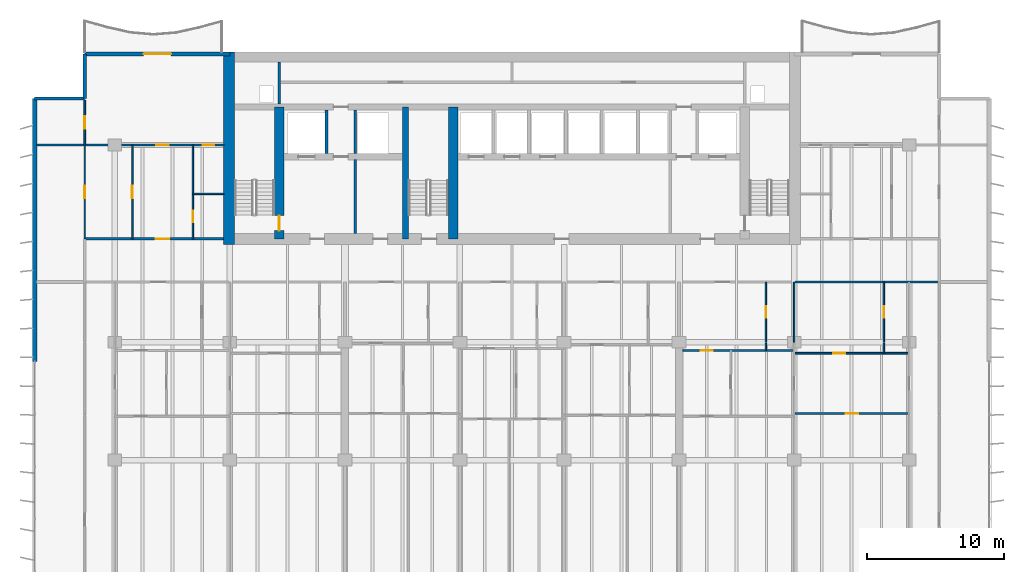
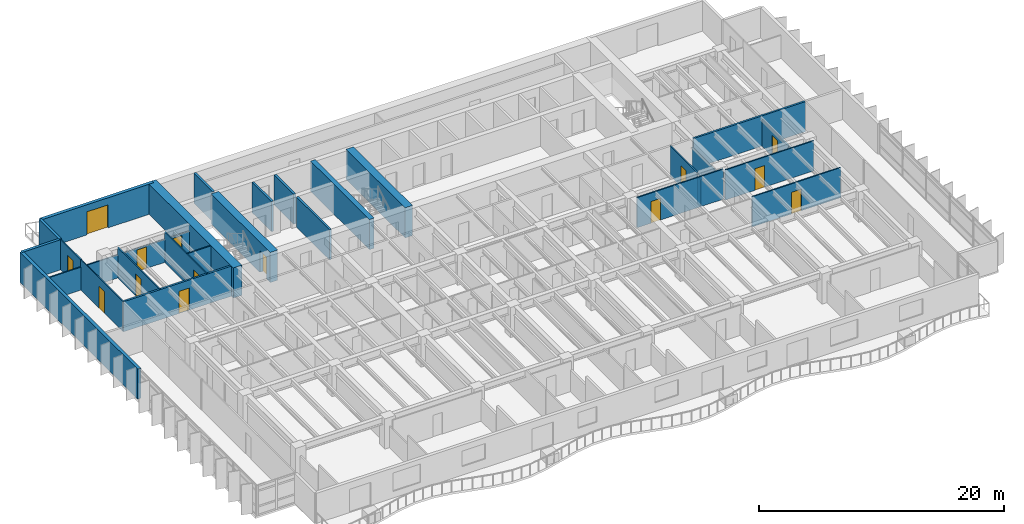
# One storey, part 11 of 19: 28 walls, 14 doors, 14 openings.
"""IFC4 building model written with IfcOpenShell, lengths in metres."""

import ifcopenshell
import ifcopenshell.guid

model = None  # the IFC model being written
_history = None  # IfcOwnerHistory: only IFC2X3 demands one
_inside = {}  # id of a spatial element -> (the spatial element, [elements in it])
_under = {}  # id of a project, library or spatial element -> (it, [spatial elements below it])
_declared = {}  # id of a project -> (the project, [libraries it declares])
_typed = {}  # id of a type object -> (the type object, [elements of that type])
_made_of = {}  # id of a material, layer set ... -> (it, [elements and type objects made of it])


def new_model(schema):
    """Start an empty IFC model of exactly this schema.

    Asked for "IFC4X3", IfcOpenShell would pick the latest addendum, in which some entities
    have other attributes; the version numbers below select the first issue.
    IFC2X3 requires an IfcOwnerHistory on every rooted entity: one is made here for all.
    """
    global model, _history
    if schema == "IFC4X3":
        model = ifcopenshell.file(schema_version=(4, 3, 0, 0))
    else:
        model = ifcopenshell.file(schema=schema)
    _inside.clear()
    _under.clear()
    _declared.clear()
    _typed.clear()
    _made_of.clear()
    _history = None
    if model.schema == "IFC2X3":
        org = make("IfcOrganization", Name="unknown")
        user = make(
            "IfcPersonAndOrganization",
            ThePerson=make("IfcPerson", FamilyName="unknown"),
            TheOrganization=org,
        )
        app = make(
            "IfcApplication",
            ApplicationDeveloper=org,
            Version="unknown",
            ApplicationFullName="unknown",
            ApplicationIdentifier="unknown",
        )
        _history = make(
            "IfcOwnerHistory",
            OwningUser=user,
            OwningApplication=app,
            ChangeAction="ADDED",
            CreationDate=0,
        )
    return model


def make(cls, **values):
    """One entity of the class cls with the attributes given. An attribute that is None is left unset."""
    return model.create_entity(
        cls, **{name: value for name, value in values.items() if value is not None}
    )


def rooted(cls, **values):
    """An entity with a GlobalId (a new one), such as an element, a storey or a relation."""
    return make(cls, GlobalId=ifcopenshell.guid.new(), OwnerHistory=_history, **values)


def si_unit(unit_type, name, prefix=None):
    """IfcSIUnit, for example si_unit("LENGTHUNIT", "METRE", prefix="MILLI")."""
    return make("IfcSIUnit", UnitType=unit_type, Prefix=prefix, Name=name)


def assignment(units):
    """IfcUnitAssignment: the units of a project."""
    return None if units is None else make("IfcUnitAssignment", Units=units)


def point(xyz):
    """IfcCartesianPoint."""
    return None if xyz is None else make("IfcCartesianPoint", Coordinates=xyz)


def direction(xyz):
    """IfcDirection."""
    return None if xyz is None else make("IfcDirection", DirectionRatios=xyz)


def frame(location, z_axis=None, x_axis=None):
    """IfcAxis2Placement3D, a coordinate frame: its origin and axes. An axis left out is left unset."""
    return make(
        "IfcAxis2Placement3D",
        Location=point(location),
        Axis=direction(z_axis),
        RefDirection=direction(x_axis),
    )


def frame_2d(location, x_axis=None):
    """IfcAxis2Placement2D, a coordinate frame in the plane: its origin and x axis."""
    return make(
        "IfcAxis2Placement2D", Location=point(location), RefDirection=direction(x_axis)
    )


def origin():
    """The frame at (0, 0, 0) with its axes left unset."""
    return frame((0.0, 0.0, 0.0))


def place(relative_to, where):
    """IfcLocalPlacement: puts the frame where relative to a parent placement (None: the world)."""
    return make(
        "IfcLocalPlacement", PlacementRelTo=relative_to, RelativePlacement=where
    )


def context(
    kind, dimensions, precision=None, world=None, true_north=None, identifier=None
):
    """IfcGeometricRepresentationContext, for example the 3D "Model" context."""
    return make(
        "IfcGeometricRepresentationContext",
        ContextIdentifier=identifier,
        ContextType=kind,
        CoordinateSpaceDimension=dimensions,
        Precision=precision,
        WorldCoordinateSystem=world,
        TrueNorth=true_north,
    )


def subcontext(parent, identifier, kind, view, scale=None):
    """IfcGeometricRepresentationSubContext, for example "Body" below "Model"."""
    return make(
        "IfcGeometricRepresentationSubContext",
        ContextIdentifier=identifier,
        ContextType=kind,
        ParentContext=parent,
        TargetScale=scale,
        TargetView=view,
    )


def project(units=None, contexts=None):
    """IfcProject with its units and contexts."""
    return rooted(
        "IfcProject",
        Name="project",
        RepresentationContexts=contexts,
        UnitsInContext=assignment(units),
    )


def spatial(cls, under=None, at=None, **own):
    """A site, building, storey or space (cls), placed at a placement, below another one or the project."""
    s = rooted(cls, ObjectPlacement=at, **own)
    if under is not None:
        _under.setdefault(under.id(), (under, []))[1].append(s)
    return s


def profile(cls, at=None, kind="AREA", **sizes):
    """A parametric profile (cls). Its sizes go by their IFC names, for example OverallWidth=200.0."""
    return make(cls, ProfileType=kind, Position=at, **sizes)


def rectangle(**sizes):
    """IfcRectangleProfileDef."""
    return profile("IfcRectangleProfileDef", **sizes)


def extrude(swept, where, along, depth):
    """IfcExtrudedAreaSolid: the profile swept, set in the frame where, extruded along a direction by depth."""
    return make(
        "IfcExtrudedAreaSolid",
        SweptArea=swept,
        Position=where,
        ExtrudedDirection=direction(along),
        Depth=depth,
    )


def shape(context_of_items, identifier, shape_type, items):
    """IfcShapeRepresentation: the items that make up one representation, for example the "Body"."""
    return make(
        "IfcShapeRepresentation",
        ContextOfItems=context_of_items,
        RepresentationIdentifier=identifier,
        RepresentationType=shape_type,
        Items=items,
    )


def material(Name=None, Category=None):
    """IfcMaterial."""
    return make("IfcMaterial", Name=Name, Category=Category)


def layer(
    of_material, thickness, ventilated=None, Name=None, Category=None, Priority=None
):
    """IfcMaterialLayer: one layer of a wall or slab, of a material (None: an air gap)."""
    return make(
        "IfcMaterialLayer",
        Material=of_material,
        LayerThickness=thickness,
        IsVentilated=ventilated,
        Name=Name,
        Category=Category,
        Priority=Priority,
    )


def layer_set(layers, Name=None):
    """IfcMaterialLayerSet."""
    return make("IfcMaterialLayerSet", MaterialLayers=layers, LayerSetName=Name)


def made_of(thing, what):
    """Note that an element or type object is made of a material, layer set ...; save() writes the relation."""
    if what is not None:
        _made_of.setdefault(what.id(), (what, []))[1].append(thing)
    return thing


def type_object(cls, material=None, **own):
    """A type object (cls), such as IfcWallType, which elements share."""
    return made_of(rooted(cls, **own), material)


def element(
    cls,
    number,
    at=None,
    inside=None,
    cuts=None,
    type_object=None,
    material=None,
    context=None,
    identifier="Body",
    shape_type=None,
    held_by="IfcProductDefinitionShape",
    body=None,
    shapes=None,
    **own,
):
    """One element of the class cls, such as IfcWall. Its Tag is "e" and its number.

    at: its placement. inside: the storey or other place that contains it. cuts: it is an
    opening in that element (IfcRelVoidsElement). A single representation is given by context,
    identifier, shape_type and body (its items); several are given by shapes. held_by: the class
    of the entity that holds the representations. save() writes the other relations.
    """
    e = rooted(cls, Tag="e%d" % number, ObjectPlacement=at, **own)
    if body is not None:
        shapes = [shape(context, identifier, shape_type, body)]
    if shapes is not None:
        e.Representation = make(held_by, Representations=shapes)
    if inside is not None:
        _inside.setdefault(inside.id(), (inside, []))[1].append(e)
    if cuts is not None:
        rooted(
            "IfcRelVoidsElement", RelatingBuildingElement=cuts, RelatedOpeningElement=e
        )
    if type_object is not None:
        _typed.setdefault(type_object.id(), (type_object, []))[1].append(e)
    return made_of(e, material)


def fill(opening, filler):
    """IfcRelFillsElement: the door or window that sits in an opening."""
    return rooted(
        "IfcRelFillsElement",
        RelatingOpeningElement=opening,
        RelatedBuildingElement=filler,
    )


def aggregate(whole, parts):
    """IfcRelAggregates: a whole, such as a stair, and the parts it consists of."""
    return rooted("IfcRelAggregates", RelatingObject=whole, RelatedObjects=parts)


def save(model, path):
    """Write the relations noted so far, then the file.

    IfcRelAggregates (storeys below a building ...), IfcRelContainedInSpatialStructure (elements
    in a storey), IfcRelDefinesByType, IfcRelAssociatesMaterial and IfcRelDeclares: one each for
    every whole, place, type object, material and project.
    """
    for whole, parts in _under.values():
        aggregate(whole, parts)
    for where, things in _inside.values():
        rooted(
            "IfcRelContainedInSpatialStructure",
            RelatedElements=things,
            RelatingStructure=where,
        )
    for kind, things in _typed.values():
        rooted("IfcRelDefinesByType", RelatedObjects=things, RelatingType=kind)
    for what, things in _made_of.values():
        rooted("IfcRelAssociatesMaterial", RelatedObjects=things, RelatingMaterial=what)
    for by, libraries in _declared.values():
        rooted("IfcRelDeclares", RelatingContext=by, RelatedDefinitions=libraries)
    model.write(path)


model = new_model("IFC4")

# Units and contexts
model_context = context("Model", 3, precision=1e-05, world=origin(), true_north=direction((0.0, 1.0)))
body_context = subcontext(model_context, "Body", "Model", "MODEL_VIEW")
ifc_project = project(units=[si_unit("LENGTHUNIT", "METRE"), si_unit("AREAUNIT", "SQUARE_METRE"), si_unit("VOLUMEUNIT", "CUBIC_METRE"), si_unit("PLANEANGLEUNIT", "RADIAN"), si_unit("MASSUNIT", "GRAM", prefix="KILO")], contexts=[model_context])

# Site, building, storey
site_placement = place(None, origin())
site = spatial("IfcSite", under=ifc_project, at=site_placement, CompositionType="ELEMENT")
building_placement = place(site_placement, origin())
building = spatial("IfcBuilding", under=site, at=building_placement, Name="Caelmar Bay Residences", CompositionType="ELEMENT")
storey_placement = place(building_placement, frame((0.0, 0.0, 94.5)))
storey = spatial("IfcBuildingStorey", under=building, at=storey_placement, Name="L25", CompositionType="ELEMENT", Elevation=94.5)

# Wall, opening, door
ifc_material_1 = material(Name="Concrete f'c 55 MPa (8,000 psi)", Category="concrete")
ifc_layer_1 = layer(ifc_material_1, 0.699951171875)
ifc_layer_set_1 = layer_set([ifc_layer_1], Name="Concrete f'c 55 MPa (8,000 psi)")
wall_type_1 = type_object("IfcWallType", Name="SW-COR-700", PredefinedType="SHEAR", material=ifc_layer_set_1)
wall_1_placement = place(storey_placement, frame((21.89990234375, 36.949951171875, 0.0), z_axis=(0.0, 0.0, 1.0), x_axis=(0.0, 1.0, 0.0)))
wall_1 = element("IfcWall", 1, at=wall_1_placement, inside=storey, type_object=wall_type_1, Name="L25 Core Structural Web Wall ST1E", PredefinedType="SHEAR", context=body_context, shape_type="SweptSolid", body=[
    extrude(rectangle(XDim=9.625, YDim=0.699951171875, at=frame_2d((4.8125, 0.0))), origin(), (0.0, 0.0, 1.0), 3.0),
])
opening_1_placement = place(wall_1_placement, frame((0.60009765625, 0.0, 0.0)))
opening_1 = element("IfcOpeningElement", 2, at=opening_1_placement, cuts=wall_1, Name="Opening D-L25-108", PredefinedType="OPENING", context=body_context, shape_type="SweptSolid", body=[
    extrude(rectangle(XDim=1.10009765625, YDim=2.14990234375, at=frame_2d((0.550048828125, 1.074951171875))), frame((0.0, 0.35986328125, 0.0), z_axis=(0.0, -1.0, 0.0), x_axis=(1.0, 0.0, 0.0)), (0.0, 0.0, 1.0), 0.719970703125),
])
ifc_material_2 = material(Name="Fire-rated steel and walnut architectural door assembly", Category="steel")
ifc_layer_2 = layer(ifc_material_2, 0.050048828125)
ifc_layer_set_2 = layer_set([ifc_layer_2], Name="Fire-rated steel and walnut architectural door assembly")
door_type_1 = type_object("IfcDoorType", Name="D-STAIR-1100", OperationType="NOTDEFINED", PredefinedType="DOOR", material=ifc_layer_set_2)
door_1_placement = place(opening_1_placement, origin())
door_1 = element("IfcDoor", 3, at=door_1_placement, inside=storey, type_object=door_type_1, Name="L25 Firefighting Lobby West Door", OperationType="SINGLE_SWING_LEFT", OverallHeight=2.14990234375, OverallWidth=1.10009765625, PredefinedType="DOOR", context=body_context, shape_type="SweptSolid", body=[
    extrude(rectangle(XDim=1.10009765625, YDim=2.14990234375, at=frame_2d((0.550048828125, 1.074951171875))), frame((0.0, 0.02490234375, 0.0), z_axis=(0.0, -1.0, 0.0), x_axis=(1.0, 0.0, 0.0)), (0.0, 0.0, 1.0), 0.050048828125),
])
fill(opening_1, door_1)

# Walls
wall_2_placement = place(storey_placement, frame((34.60009765625, 36.949951171875, 0.0), z_axis=(0.0, 0.0, 1.0), x_axis=(0.0, 1.0, 0.0)))
element("IfcWall", 4, at=wall_2_placement, inside=storey, type_object=wall_type_1, Name="L25 Core Structural Web Wall ST3E", PredefinedType="SHEAR", context=body_context, shape_type="SweptSolid", body=[
    extrude(rectangle(XDim=9.625, YDim=0.699951171875, at=frame_2d((4.8125, 0.0))), origin(), (0.0, 0.0, 1.0), 3.0),
])
ifc_material_3 = material(Name="Concrete f'c 70 MPa (10,000 psi)", Category="concrete")
ifc_layer_3 = layer(ifc_material_3, 0.800048828125)
ifc_layer_set_3 = layer_set([ifc_layer_3], Name="Concrete f'c 70 MPa (10,000 psi)")
wall_type_2 = type_object("IfcWallType", Name="SW-COR-800", PredefinedType="SHEAR", material=ifc_layer_set_3)
wall_3_placement = place(storey_placement, frame((18.25, 36.550048828125, 0.0), z_axis=(0.0, 0.0, 1.0), x_axis=(0.0, 1.0, 0.0)))
element("IfcWall", 5, at=wall_3_placement, inside=storey, type_object=wall_type_2, Name="L25 Rear Core West Shear Wall", PredefinedType="SHEAR", context=body_context, shape_type="SweptSolid", body=[
    extrude(rectangle(XDim=14.050048828125, YDim=0.800048828125, at=frame_2d((7.02490234375, 0.0))), origin(), (0.0, 0.0, 1.0), 3.0),
])
ifc_layer_4 = layer(ifc_material_3, 0.449951171875)
ifc_layer_set_4 = layer_set([ifc_layer_4], Name="Concrete f'c 70 MPa (10,000 psi)")
wall_type_3 = type_object("IfcWallType", Name="SW-WEB-450", PredefinedType="SHEAR", material=ifc_layer_set_4)
wall_4_placement = place(storey_placement, frame((31.125, 36.949951171875, 0.0), z_axis=(0.0, 0.0, 1.0), x_axis=(0.0, 1.0, 0.0)))
element("IfcWall", 6, at=wall_4_placement, inside=storey, type_object=wall_type_3, Name="L25 Core Structural Web Wall ST3W", PredefinedType="SHEAR", context=body_context, shape_type="SweptSolid", body=[
    extrude(rectangle(XDim=9.625, YDim=0.449951171875, at=frame_2d((4.8125, 0.0))), origin(), (0.0, 0.0, 1.0), 3.0),
])
ifc_material_4 = material(Name="Double-stud acoustic fire-rated gypsum partition 180 mm")
ifc_layer_5 = layer(ifc_material_4, 0.179931640625)
ifc_layer_set_5 = layer_set([ifc_layer_5], Name="Double-stud acoustic fire-rated gypsum partition 180 mm")
wall_type_4 = type_object("IfcWallType", Name="W-COR-200", PredefinedType="PARTITIONING", material=ifc_layer_set_5)
wall_5_placement = place(storey_placement, frame((59.550048828125, 33.800048828125, 0.0), z_axis=(0.0, 0.0, 1.0), x_axis=(1.0, 0.0, 0.0)))
element("IfcWall", 7, at=wall_5_placement, inside=storey, type_object=wall_type_4, Name="L25 Partition Wall H121", PredefinedType="PARTITIONING", context=body_context, shape_type="SweptSolid", body=[
    extrude(rectangle(XDim=10.550048828125, YDim=0.179931640625, at=frame_2d((5.27490234375, 0.0))), origin(), (0.0, 0.0, 1.0), 3.0),
])

# Wall, opening, door
wall_6_placement = place(storey_placement, frame((7.699951171875, 36.949951171875, 0.0), z_axis=(0.0, 0.0, 1.0), x_axis=(1.0, 0.0, 0.0)))
wall_6 = element("IfcWall", 8, at=wall_6_placement, inside=storey, type_object=wall_type_4, Name="L25 Partition Wall H123", PredefinedType="PARTITIONING", context=body_context, shape_type="SweptSolid", body=[
    extrude(rectangle(XDim=10.14501953125, YDim=0.179931640625, at=frame_2d((5.072509765625, 0.0))), origin(), (0.0, 0.0, 1.0), 3.0),
])
opening_2_placement = place(wall_6_placement, frame((5.18798828125, 0.0, 0.0)))
opening_2 = element("IfcOpeningElement", 9, at=opening_2_placement, cuts=wall_6, Name="Opening D-L25-165", PredefinedType="OPENING", context=body_context, shape_type="SweptSolid", body=[
    extrude(rectangle(XDim=1.0, YDim=2.199951171875, at=frame_2d((0.5, 1.10009765625))), frame((0.0, 0.099853515625, 0.0), z_axis=(0.0, -1.0, 0.0), x_axis=(1.0, 0.0, 0.0)), (0.0, 0.0, 1.0), 0.199951171875),
])
ifc_layer_6 = layer(ifc_material_2, 0.050048828125)
ifc_layer_set_6 = layer_set([ifc_layer_6], Name="Fire-rated steel and walnut architectural door assembly")
door_type_2 = type_object("IfcDoorType", Name="D-UNIT-1000", OperationType="NOTDEFINED", PredefinedType="DOOR", material=ifc_layer_set_6)
door_2_placement = place(opening_2_placement, origin())
door_2 = element("IfcDoor", 10, at=door_2_placement, inside=storey, type_object=door_type_2, Name="L25 Residence WA Kitchen Door", OperationType="SINGLE_SWING_RIGHT", OverallHeight=2.199951171875, OverallWidth=1.0, PredefinedType="DOOR", context=body_context, shape_type="SweptSolid", body=[
    extrude(rectangle(XDim=1.0, YDim=2.199951171875, at=frame_2d((0.5, 1.10009765625))), frame((0.0, 0.02490234375, 0.0), z_axis=(0.0, -1.0, 0.0), x_axis=(1.0, 0.0, 0.0)), (0.0, 0.0, 1.0), 0.050048828125),
])
fill(opening_2, door_2)

# Walls
ifc_material_5 = material(Name="Precast concrete f'c 40 MPa (6,000 psi)", Category="concrete")
ifc_layer_7 = layer(ifc_material_5, 0.25)
ifc_layer_set_7 = layer_set([ifc_layer_7], Name="Precast concrete f'c 40 MPa (6,000 psi)")
wall_type_5 = type_object("IfcWallType", Name="W-EXT-250", PredefinedType="ELEMENTEDWALL", material=ifc_layer_set_7)
wall_7_placement = place(storey_placement, frame((4.050048828125, 47.199951171875, 0.0), z_axis=(0.0, 0.0, 1.0), x_axis=(1.0, 0.0, 0.0)))
element("IfcWall", 11, at=wall_7_placement, inside=storey, type_object=wall_type_5, Name="L25 NNW-H Notch Wall", PredefinedType="ELEMENTEDWALL", context=body_context, shape_type="SweptSolid", body=[
    extrude(rectangle(XDim=3.64990234375, YDim=0.25, at=frame_2d((1.824951171875, 0.0))), origin(), (0.0, 0.0, 1.0), 3.0),
])
wall_8_placement = place(storey_placement, frame((7.699951171875, 47.199951171875, 0.0), z_axis=(0.0, 0.0, 1.0), x_axis=(0.0, 1.0, 0.0)))
element("IfcWall", 12, at=wall_8_placement, inside=storey, type_object=wall_type_5, Name="L25 NNW-V Notch Wall", PredefinedType="ELEMENTEDWALL", context=body_context, shape_type="SweptSolid", body=[
    extrude(rectangle(XDim=3.25, YDim=0.25, at=frame_2d((1.625, 0.0))), origin(), (0.0, 0.0, 1.0), 3.0),
])
ifc_layer_8 = layer(ifc_material_5, 0.300048828125)
ifc_layer_set_8 = layer_set([ifc_layer_8], Name="Precast concrete f'c 40 MPa (6,000 psi)")
wall_type_6 = type_object("IfcWallType", Name="W-EXT-300", PredefinedType="STANDARD", material=ifc_layer_set_8)
wall_9_placement = place(storey_placement, frame((4.050048828125, 28.0, 0.0), z_axis=(0.0, 0.0, 1.0), x_axis=(0.0, 1.0, 0.0)))
element("IfcWall", 13, at=wall_9_placement, inside=storey, type_object=wall_type_6, Name="L25 West Rear Exterior Wall", PredefinedType="STANDARD", context=body_context, shape_type="SweptSolid", body=[
    extrude(rectangle(XDim=19.199951171875, YDim=0.300048828125, at=frame_2d((9.60009765625, 0.0))), origin(), (0.0, 0.0, 1.0), 3.0),
])

# Wall, opening, door
wall_10_placement = place(storey_placement, frame((7.699951171875, 50.449951171875, 0.0), z_axis=(0.0, 0.0, 1.0), x_axis=(1.0, 0.0, 0.0)))
wall_10 = element("IfcWall", 14, at=wall_10_placement, inside=storey, type_object=wall_type_6, Name="L25 North-West Wing Exterior Wall", PredefinedType="STANDARD", context=body_context, shape_type="SweptSolid", body=[
    extrude(rectangle(XDim=10.60009765625, YDim=0.300048828125, at=frame_2d((5.300048828125, 0.0))), origin(), (0.0, 0.0, 1.0), 3.0),
])
opening_3_placement = place(wall_10_placement, frame((4.300048828125, 0.0, 0.0)))
opening_3 = element("IfcOpeningElement", 15, at=opening_3_placement, cuts=wall_10, Name="Opening L25-BDNW", PredefinedType="OPENING", context=body_context, shape_type="SweptSolid", body=[
    extrude(rectangle(XDim=2.0, YDim=2.300048828125, at=frame_2d((1.0, 1.14990234375))), frame((0.0, 0.159912109375, 0.0), z_axis=(0.0, -1.0, 0.0), x_axis=(1.0, 0.0, 0.0)), (0.0, 0.0, 1.0), 0.320068359375),
])
ifc_material_6 = material(Name="Anodised bronze thermally broken sliding glass door", Category="glass")
ifc_layer_9 = layer(ifc_material_6, 0.050048828125)
ifc_layer_set_9 = layer_set([ifc_layer_9], Name="Anodised bronze thermally broken sliding glass door")
door_type_3 = type_object("IfcDoorType", Name="D-BAL-2000", OperationType="DOUBLE_DOOR_SLIDING", PredefinedType="DOOR", material=ifc_layer_set_9)
door_3_placement = place(opening_3_placement, origin())
door_3 = element("IfcDoor", 16, at=door_3_placement, inside=storey, type_object=door_type_3, Name="L25 North-West Balcony Door", OperationType="DOUBLE_DOOR_SLIDING", OverallHeight=2.300048828125, OverallWidth=2.0, PredefinedType="DOOR", context=body_context, shape_type="SweptSolid", body=[
    extrude(rectangle(XDim=2.0, YDim=2.300048828125, at=frame_2d((1.0, 1.14990234375))), frame((0.0, 0.02490234375, 0.0), z_axis=(0.0, -1.0, 0.0), x_axis=(1.0, 0.0, 0.0)), (0.0, 0.0, 1.0), 0.050048828125),
])
fill(opening_3, door_3)

# Walls
ifc_material_7 = material(Name="Fire-rated masonry and gypsum shaftliner assembly 200 mm", Category="masonry")
ifc_layer_10 = layer(ifc_material_7, 0.199951171875)
ifc_layer_set_10 = layer_set([ifc_layer_10], Name="Fire-rated masonry and gypsum shaftliner assembly 200 mm")
wall_type_7 = type_object("IfcWallType", Name="W-FSAE-200", PredefinedType="PARTITIONING", material=ifc_layer_set_10)
wall_11_placement = place(storey_placement, frame((21.89990234375, 46.794921875, 0.0), z_axis=(0.0, 0.0, 1.0), x_axis=(0.0, 1.0, 0.0)))
element("IfcWall", 17, at=wall_11_placement, inside=storey, type_object=wall_type_7, Name="L25 Partition Wall V024", PredefinedType="PARTITIONING", context=body_context, shape_type="SweptSolid", body=[
    extrude(rectangle(XDim=3.06005859375, YDim=0.199951171875, at=frame_2d((1.530029296875, 0.0))), origin(), (0.0, 0.0, 1.0), 3.0),
])
wall_12_placement = place(storey_placement, frame((25.35009765625, 43.169921875, 0.0), z_axis=(0.0, 0.0, 1.0), x_axis=(0.0, 1.0, 0.0)))
element("IfcWall", 18, at=wall_12_placement, inside=storey, type_object=wall_type_7, Name="L25 Partition Wall V027", PredefinedType="PARTITIONING", context=body_context, shape_type="SweptSolid", body=[
    extrude(rectangle(XDim=3.18505859375, YDim=0.199951171875, at=frame_2d((1.592529296875, 0.0))), origin(), (0.0, 0.0, 1.0), 3.0),
])
wall_13_placement = place(storey_placement, frame((27.449951171875, 37.344970703125, 0.0), z_axis=(0.0, 0.0, 1.0), x_axis=(0.0, 1.0, 0.0)))
element("IfcWall", 19, at=wall_13_placement, inside=storey, type_object=wall_type_7, Name="L25 Partition Wall V031", PredefinedType="PARTITIONING", context=body_context, shape_type="SweptSolid", body=[
    extrude(rectangle(XDim=5.385009765625, YDim=0.199951171875, at=frame_2d((2.6923828125, 0.0))), origin(), (0.0, 0.0, 1.0), 3.0),
])
wall_14_placement = place(storey_placement, frame((27.449951171875, 43.169921875, 0.0), z_axis=(0.0, 0.0, 1.0), x_axis=(0.0, 1.0, 0.0)))
element("IfcWall", 20, at=wall_14_placement, inside=storey, type_object=wall_type_7, Name="L25 Partition Wall V032", PredefinedType="PARTITIONING", context=body_context, shape_type="SweptSolid", body=[
    extrude(rectangle(XDim=3.18505859375, YDim=0.199951171875, at=frame_2d((1.592529296875, 0.0))), origin(), (0.0, 0.0, 1.0), 3.0),
])

# Wall, opening, door
ifc_material_8 = material(Name="Anodised bronze framed acoustic sliding study partition 100 mm")
ifc_layer_11 = layer(ifc_material_8, 0.10009765625)
ifc_layer_set_11 = layer_set([ifc_layer_11], Name="Anodised bronze framed acoustic sliding study partition 100 mm")
wall_type_8 = type_object("IfcWallType", Name="W-MOV-100", PredefinedType="MOVABLE", material=ifc_layer_set_11)
wall_15_placement = place(storey_placement, frame((7.699951171875, 36.955078125, 0.0), z_axis=(0.0, 0.0, 1.0), x_axis=(0.0, 1.0, 0.0)))
wall_15 = element("IfcWall", 21, at=wall_15_placement, inside=storey, type_object=wall_type_8, Name="L25 Partition Wall V006", PredefinedType="MOVABLE", context=body_context, shape_type="SweptSolid", body=[
    extrude(rectangle(XDim=6.844970703125, YDim=0.10009765625, at=frame_2d((3.42236328125, 0.0))), origin(), (0.0, 0.0, 1.0), 3.0),
])
opening_4_placement = place(wall_15_placement, frame((2.972412109375, 0.0, 0.0)))
opening_4 = element("IfcOpeningElement", 22, at=opening_4_placement, cuts=wall_15, Name="Opening D-L25-169", PredefinedType="OPENING", context=body_context, shape_type="SweptSolid", body=[
    extrude(rectangle(XDim=0.89990234375, YDim=2.14990234375, at=frame_2d((0.449951171875, 1.074951171875))), frame((0.0, 0.06005859375, 0.0), z_axis=(0.0, -1.0, 0.0), x_axis=(1.0, 0.0, 0.0)), (0.0, 0.0, 1.0), 0.1201171875),
])
ifc_material_9 = material(Name="Solid walnut timber interior door leaf and frame", Category="wood")
ifc_layer_12 = layer(ifc_material_9, 0.050048828125)
ifc_layer_set_12 = layer_set([ifc_layer_12], Name="Solid walnut timber interior door leaf and frame")
door_type_4 = type_object("IfcDoorType", Name="D-ROOM-900", OperationType="NOTDEFINED", PredefinedType="DOOR", material=ifc_layer_set_12)
door_4_placement = place(opening_4_placement, origin())
door_4 = element("IfcDoor", 23, at=door_4_placement, inside=storey, type_object=door_type_4, Name="L25 Residence WA Sun Study Door", OperationType="SINGLE_SWING_RIGHT", OverallHeight=2.14990234375, OverallWidth=0.89990234375, PredefinedType="DOOR", context=body_context, shape_type="SweptSolid", body=[
    extrude(rectangle(XDim=0.89990234375, YDim=2.14990234375, at=frame_2d((0.449951171875, 1.074951171875))), frame((0.0, 0.02490234375, 0.0), z_axis=(0.0, -1.0, 0.0), x_axis=(1.0, 0.0, 0.0)), (0.0, 0.0, 1.0), 0.050048828125),
])
fill(opening_4, door_4)

ifc_material_10 = material(Name="Acoustic metal-stud gypsum partition 120 mm")
ifc_layer_13 = layer(ifc_material_10, 0.1201171875)
ifc_layer_set_13 = layer_set([ifc_layer_13], Name="Acoustic metal-stud gypsum partition 120 mm")
wall_type_9 = type_object("IfcWallType", Name="W-PRT-120", PredefinedType="PARTITIONING", material=ifc_layer_set_13)
wall_16_placement = place(storey_placement, frame((7.699951171875, 43.804931640625, 0.0), z_axis=(0.0, 0.0, 1.0), x_axis=(0.0, 1.0, 0.0)))
wall_16 = element("IfcWall", 24, at=wall_16_placement, inside=storey, type_object=wall_type_9, Name="L25 Partition Wall V007", PredefinedType="PARTITIONING", context=body_context, shape_type="SweptSolid", body=[
    extrude(rectangle(XDim=3.275146484375, YDim=0.1201171875, at=frame_2d((1.6376953125, 0.0))), origin(), (0.0, 0.0, 1.0), 3.0),
])
opening_5_placement = place(wall_16_placement, frame((1.1875, 0.0, 0.0)))
opening_5 = element("IfcOpeningElement", 25, at=opening_5_placement, cuts=wall_16, Name="Opening D-L25-170", PredefinedType="OPENING", context=body_context, shape_type="SweptSolid", body=[
    extrude(rectangle(XDim=0.89990234375, YDim=2.14990234375, at=frame_2d((0.449951171875, 1.074951171875))), frame((0.0, 0.070068359375, 0.0), z_axis=(0.0, -1.0, 0.0), x_axis=(1.0, 0.0, 0.0)), (0.0, 0.0, 1.0), 0.14013671875),
])
door_5_placement = place(opening_5_placement, origin())
door_5 = element("IfcDoor", 26, at=door_5_placement, inside=storey, type_object=door_type_4, Name="L25 Residence WA North Sitting Alcove Door", OperationType="SINGLE_SWING_LEFT", OverallHeight=2.14990234375, OverallWidth=0.89990234375, PredefinedType="DOOR", context=body_context, shape_type="SweptSolid", body=[
    extrude(rectangle(XDim=0.89990234375, YDim=2.14990234375, at=frame_2d((0.449951171875, 1.074951171875))), frame((0.0, 0.02490234375, 0.0), z_axis=(0.0, -1.0, 0.0), x_axis=(1.0, 0.0, 0.0)), (0.0, 0.0, 1.0), 0.050048828125),
])
fill(opening_5, door_5)

wall_17_placement = place(storey_placement, frame((11.176025390625, 36.949951171875, 0.0), z_axis=(0.0, 0.0, 1.0), x_axis=(0.0, 1.0, 0.0)))
wall_17 = element("IfcWall", 27, at=wall_17_placement, inside=storey, type_object=wall_type_9, Name="L25 Partition Wall V013", PredefinedType="PARTITIONING", context=body_context, shape_type="SweptSolid", body=[
    extrude(rectangle(XDim=6.85009765625, YDim=0.1201171875, at=frame_2d((3.425048828125, 0.0))), origin(), (0.0, 0.0, 1.0), 3.0),
])
opening_6_placement = place(wall_17_placement, frame((2.97509765625, 0.0, 0.0)))
opening_6 = element("IfcOpeningElement", 28, at=opening_6_placement, cuts=wall_17, Name="Opening D-L25-164", PredefinedType="OPENING", context=body_context, shape_type="SweptSolid", body=[
    extrude(rectangle(XDim=0.89990234375, YDim=2.14990234375, at=frame_2d((0.449951171875, 1.074951171875))), frame((0.0, 0.070068359375, 0.0), z_axis=(0.0, -1.0, 0.0), x_axis=(1.0, 0.0, 0.0)), (0.0, 0.0, 1.0), 0.14013671875),
])
door_6_placement = place(opening_6_placement, origin())
door_6 = element("IfcDoor", 29, at=door_6_placement, inside=storey, type_object=door_type_4, Name="L25 Residence WA Dining Room Door", OperationType="SINGLE_SWING_LEFT", OverallHeight=2.14990234375, OverallWidth=0.89990234375, PredefinedType="DOOR", context=body_context, shape_type="SweptSolid", body=[
    extrude(rectangle(XDim=0.89990234375, YDim=2.14990234375, at=frame_2d((0.449951171875, 1.074951171875))), frame((0.0, 0.02490234375, 0.0), z_axis=(0.0, -1.0, 0.0), x_axis=(1.0, 0.0, 0.0)), (0.0, 0.0, 1.0), 0.050048828125),
])
fill(opening_6, door_6)

wall_18_placement = place(storey_placement, frame((15.60009765625, 36.949951171875, 0.0), z_axis=(0.0, 0.0, 1.0), x_axis=(0.0, 1.0, 0.0)))
wall_18 = element("IfcWall", 30, at=wall_18_placement, inside=storey, type_object=wall_type_9, Name="L25 Partition Wall V016", PredefinedType="PARTITIONING", context=body_context, shape_type="SweptSolid", body=[
    extrude(rectangle(XDim=6.85009765625, YDim=0.1201171875, at=frame_2d((3.425048828125, 0.0))), origin(), (0.0, 0.0, 1.0), 3.0),
])
opening_7_placement = place(wall_18_placement, frame((1.218994140625, 0.0, 0.0)))
opening_7 = element("IfcOpeningElement", 31, at=opening_7_placement, cuts=wall_18, Name="Opening D-L25-167", PredefinedType="OPENING", context=body_context, shape_type="SweptSolid", body=[
    extrude(rectangle(XDim=0.85009765625, YDim=2.10009765625, at=frame_2d((0.425048828125, 1.050048828125))), frame((0.0, 0.070068359375, 0.0), z_axis=(0.0, -1.0, 0.0), x_axis=(1.0, 0.0, 0.0)), (0.0, 0.0, 1.0), 0.14013671875),
])
ifc_layer_14 = layer(ifc_material_9, 0.050048828125)
ifc_layer_set_14 = layer_set([ifc_layer_14], Name="Solid walnut timber interior door leaf and frame")
door_type_5 = type_object("IfcDoorType", Name="D-BATH-850", OperationType="NOTDEFINED", PredefinedType="DOOR", material=ifc_layer_set_14)
door_7_placement = place(opening_7_placement, origin())
door_7 = element("IfcDoor", 32, at=door_7_placement, inside=storey, type_object=door_type_5, Name="L25 Residence WA Walk-In Closet Door", OperationType="SINGLE_SWING_RIGHT", OverallHeight=2.10009765625, OverallWidth=0.85009765625, PredefinedType="DOOR", context=body_context, shape_type="SweptSolid", body=[
    extrude(rectangle(XDim=0.85009765625, YDim=2.10009765625, at=frame_2d((0.425048828125, 1.050048828125))), frame((0.0, 0.02490234375, 0.0), z_axis=(0.0, -1.0, 0.0), x_axis=(1.0, 0.0, 0.0)), (0.0, 0.0, 1.0), 0.050048828125),
])
fill(opening_7, door_7)

# Wall
wall_19_placement = place(storey_placement, frame((57.43994140625, 28.800048828125, 0.0), z_axis=(0.0, 0.0, 1.0), x_axis=(0.0, 1.0, 0.0)))
element("IfcWall", 33, at=wall_19_placement, inside=storey, type_object=wall_type_9, Name="L25 Partition Wall V076", PredefinedType="PARTITIONING", context=body_context, shape_type="SweptSolid", body=[
    extrude(rectangle(XDim=0.5400390625, YDim=0.1201171875, at=frame_2d((0.27001953125, 0.0))), origin(), (0.0, 0.0, 1.0), 2.62890625),
])

# Wall, opening, door
wall_20_placement = place(storey_placement, frame((57.43994140625, 29.39990234375, 0.0), z_axis=(0.0, 0.0, 1.0), x_axis=(0.0, 1.0, 0.0)))
wall_20 = element("IfcWall", 34, at=wall_20_placement, inside=storey, type_object=wall_type_9, Name="L25 Partition Wall V077", PredefinedType="PARTITIONING", context=body_context, shape_type="SweptSolid", body=[
    extrude(rectangle(XDim=4.400146484375, YDim=0.1201171875, at=frame_2d((2.2001953125, 0.0))), origin(), (0.0, 0.0, 1.0), 3.0),
])
opening_8_placement = place(wall_20_placement, frame((1.77490234375, 0.0, 0.0)))
opening_8 = element("IfcOpeningElement", 35, at=opening_8_placement, cuts=wall_20, Name="Opening D-L25-152", PredefinedType="OPENING", context=body_context, shape_type="SweptSolid", body=[
    extrude(rectangle(XDim=0.85009765625, YDim=2.10009765625, at=frame_2d((0.425048828125, 1.050048828125))), frame((0.0, 0.070068359375, 0.0), z_axis=(0.0, -1.0, 0.0), x_axis=(1.0, 0.0, 0.0)), (0.0, 0.0, 1.0), 0.14013671875),
])
door_8_placement = place(opening_8_placement, origin())
door_8 = element("IfcDoor", 36, at=door_8_placement, inside=storey, type_object=door_type_5, Name="L25 Residence 05 Guest Bathroom Door", OperationType="SINGLE_SWING_LEFT", OverallHeight=2.10009765625, OverallWidth=0.85009765625, PredefinedType="DOOR", context=body_context, shape_type="SweptSolid", body=[
    extrude(rectangle(XDim=0.85009765625, YDim=2.10009765625, at=frame_2d((0.425048828125, 1.050048828125))), frame((0.0, 0.02490234375, 0.0), z_axis=(0.0, -1.0, 0.0), x_axis=(1.0, 0.0, 0.0)), (0.0, 0.0, 1.0), 0.050048828125),
])
fill(opening_8, door_8)

# Walls
wall_21_placement = place(storey_placement, frame((59.5, 29.39990234375, 0.0), z_axis=(0.0, 0.0, 1.0), x_axis=(0.0, 1.0, 0.0)))
element("IfcWall", 37, at=wall_21_placement, inside=storey, type_object=wall_type_9, Name="L25 Partition Wall V082", PredefinedType="PARTITIONING", context=body_context, shape_type="SweptSolid", body=[
    extrude(rectangle(XDim=4.400146484375, YDim=0.1201171875, at=frame_2d((2.2001953125, 0.0))), origin(), (0.0, 0.0, 1.0), 2.1240234375),
])
wall_22_placement = place(storey_placement, frame((66.053955078125, 28.60009765625, 0.0), z_axis=(0.0, 0.0, 1.0), x_axis=(0.0, 1.0, 0.0)))
element("IfcWall", 38, at=wall_22_placement, inside=storey, type_object=wall_type_9, Name="L25 Partition Wall V084", PredefinedType="PARTITIONING", context=body_context, shape_type="SweptSolid", body=[
    extrude(rectangle(XDim=0.739990234375, YDim=0.1201171875, at=frame_2d((0.3701171875, 0.0))), origin(), (0.0, 0.0, 1.0), 2.62890625),
])

# Wall, opening, door
wall_23_placement = place(storey_placement, frame((66.053955078125, 29.39990234375, 0.0), z_axis=(0.0, 0.0, 1.0), x_axis=(0.0, 1.0, 0.0)))
wall_23 = element("IfcWall", 39, at=wall_23_placement, inside=storey, type_object=wall_type_9, Name="L25 Partition Wall V085", PredefinedType="PARTITIONING", context=body_context, shape_type="SweptSolid", body=[
    extrude(rectangle(XDim=4.400146484375, YDim=0.1201171875, at=frame_2d((2.2001953125, 0.0))), origin(), (0.0, 0.0, 1.0), 2.62890625),
])
opening_9_placement = place(wall_23_placement, frame((1.77490234375, 0.0, 0.0)))
opening_9 = element("IfcOpeningElement", 40, at=opening_9_placement, cuts=wall_23, Name="Opening D-L25-158", PredefinedType="OPENING", context=body_context, shape_type="SweptSolid", body=[
    extrude(rectangle(XDim=0.85009765625, YDim=2.10009765625, at=frame_2d((0.425048828125, 1.050048828125))), frame((0.0, 0.070068359375, 0.0), z_axis=(0.0, -1.0, 0.0), x_axis=(1.0, 0.0, 0.0)), (0.0, 0.0, 1.0), 0.14013671875),
])
door_9_placement = place(opening_9_placement, origin())
door_9 = element("IfcDoor", 41, at=door_9_placement, inside=storey, type_object=door_type_5, Name="L25 Residence 05 En-Suite Bathroom 1 Door", OperationType="SINGLE_SWING_LEFT", OverallHeight=2.10009765625, OverallWidth=0.85009765625, PredefinedType="DOOR", context=body_context, shape_type="SweptSolid", body=[
    extrude(rectangle(XDim=0.85009765625, YDim=2.10009765625, at=frame_2d((0.425048828125, 1.050048828125))), frame((0.0, 0.02490234375, 0.0), z_axis=(0.0, -1.0, 0.0), x_axis=(1.0, 0.0, 0.0)), (0.0, 0.0, 1.0), 0.050048828125),
])
fill(opening_9, door_9)

wall_24_placement = place(storey_placement, frame((59.550048828125, 24.199951171875, 0.0), z_axis=(0.0, 0.0, 1.0), x_axis=(1.0, 0.0, 0.0)))
wall_24 = element("IfcWall", 42, at=wall_24_placement, inside=storey, type_object=wall_type_9, Name="L25 Partition Wall H110", PredefinedType="PARTITIONING", context=body_context, shape_type="SweptSolid", body=[
    extrude(rectangle(XDim=8.349853515625, YDim=0.1201171875, at=frame_2d((4.1748046875, 0.0))), origin(), (0.0, 0.0, 1.0), 3.0),
])
opening_10_placement = place(wall_24_placement, frame((3.72509765625, 0.0, 0.0)))
opening_10 = element("IfcOpeningElement", 43, at=opening_10_placement, cuts=wall_24, Name="Opening D-L25-159", PredefinedType="OPENING", context=body_context, shape_type="SweptSolid", body=[
    extrude(rectangle(XDim=0.89990234375, YDim=2.14990234375, at=frame_2d((0.449951171875, 1.074951171875))), frame((0.0, 0.070068359375, 0.0), z_axis=(0.0, -1.0, 0.0), x_axis=(1.0, 0.0, 0.0)), (0.0, 0.0, 1.0), 0.14013671875),
])
door_10_placement = place(opening_10_placement, origin())
door_10 = element("IfcDoor", 44, at=door_10_placement, inside=storey, type_object=door_type_4, Name="L25 Residence 05 Penthouse Sitting Salon 1 Door", OperationType="SINGLE_SWING_RIGHT", OverallHeight=2.14990234375, OverallWidth=0.89990234375, PredefinedType="DOOR", context=body_context, shape_type="SweptSolid", body=[
    extrude(rectangle(XDim=0.89990234375, YDim=2.14990234375, at=frame_2d((0.449951171875, 1.074951171875))), frame((0.0, 0.02490234375, 0.0), z_axis=(0.0, -1.0, 0.0), x_axis=(1.0, 0.0, 0.0)), (0.0, 0.0, 1.0), 0.050048828125),
])
fill(opening_10, door_10)

wall_25_placement = place(storey_placement, frame((59.550048828125, 28.60009765625, 0.0), z_axis=(0.0, 0.0, 1.0), x_axis=(1.0, 0.0, 0.0)))
wall_25 = element("IfcWall", 45, at=wall_25_placement, inside=storey, type_object=wall_type_9, Name="L25 Partition Wall H112", PredefinedType="PARTITIONING", context=body_context, shape_type="SweptSolid", body=[
    extrude(rectangle(XDim=8.349853515625, YDim=0.1201171875, at=frame_2d((4.1748046875, 0.0))), origin(), (0.0, 0.0, 1.0), 3.0),
])
opening_11_placement = place(wall_25_placement, frame((2.802001953125, 0.0, 0.0)))
opening_11 = element("IfcOpeningElement", 46, at=opening_11_placement, cuts=wall_25, Name="Opening D-L25-157", PredefinedType="OPENING", context=body_context, shape_type="SweptSolid", body=[
    extrude(rectangle(XDim=0.89990234375, YDim=2.14990234375, at=frame_2d((0.449951171875, 1.074951171875))), frame((0.0, 0.070068359375, 0.0), z_axis=(0.0, -1.0, 0.0), x_axis=(1.0, 0.0, 0.0)), (0.0, 0.0, 1.0), 0.14013671875),
])
door_11_placement = place(opening_11_placement, origin())
door_11 = element("IfcDoor", 47, at=door_11_placement, inside=storey, type_object=door_type_4, Name="L25 Residence 05 Home Office 1 Door", OperationType="SINGLE_SWING_RIGHT", OverallHeight=2.14990234375, OverallWidth=0.89990234375, PredefinedType="DOOR", context=body_context, shape_type="SweptSolid", body=[
    extrude(rectangle(XDim=0.89990234375, YDim=2.14990234375, at=frame_2d((0.449951171875, 1.074951171875))), frame((0.0, 0.02490234375, 0.0), z_axis=(0.0, -1.0, 0.0), x_axis=(1.0, 0.0, 0.0)), (0.0, 0.0, 1.0), 0.050048828125),
])
fill(opening_11, door_11)

wall_26_placement = place(storey_placement, frame((51.3701171875, 28.800048828125, 0.0), z_axis=(0.0, 0.0, 1.0), x_axis=(1.0, 0.0, 0.0)))
wall_26 = element("IfcWall", 48, at=wall_26_placement, inside=storey, type_object=wall_type_9, Name="L25 Partition Wall H114", PredefinedType="PARTITIONING", context=body_context, shape_type="SweptSolid", body=[
    extrude(rectangle(XDim=8.1298828125, YDim=0.1201171875, at=frame_2d((4.06494140625, 0.0))), origin(), (0.0, 0.0, 1.0), 3.0),
])
opening_12_placement = place(wall_26_placement, frame((1.304931640625, 0.0, 0.0)))
opening_12 = element("IfcOpeningElement", 49, at=opening_12_placement, cuts=wall_26, Name="Opening D-L25-153", PredefinedType="OPENING", context=body_context, shape_type="SweptSolid", body=[
    extrude(rectangle(XDim=0.89990234375, YDim=2.14990234375, at=frame_2d((0.449951171875, 1.074951171875))), frame((0.0, 0.070068359375, 0.0), z_axis=(0.0, -1.0, 0.0), x_axis=(1.0, 0.0, 0.0)), (0.0, 0.0, 1.0), 0.14013671875),
])
door_12_placement = place(opening_12_placement, origin())
door_12 = element("IfcDoor", 50, at=door_12_placement, inside=storey, type_object=door_type_4, Name="L25 Residence 05 Dining Room Door", OperationType="SINGLE_SWING_RIGHT", OverallHeight=2.14990234375, OverallWidth=0.89990234375, PredefinedType="DOOR", context=body_context, shape_type="SweptSolid", body=[
    extrude(rectangle(XDim=0.89990234375, YDim=2.14990234375, at=frame_2d((0.449951171875, 1.074951171875))), frame((0.0, 0.02490234375, 0.0), z_axis=(0.0, -1.0, 0.0), x_axis=(1.0, 0.0, 0.0)), (0.0, 0.0, 1.0), 0.050048828125),
])
fill(opening_12, door_12)

# Wall
wall_27_placement = place(storey_placement, frame((15.60009765625, 40.238037109375, 0.0), z_axis=(0.0, 0.0, 1.0), x_axis=(1.0, 0.0, 0.0)))
element("IfcWall", 51, at=wall_27_placement, inside=storey, type_object=wall_type_9, Name="L25 Partition Wall H125", PredefinedType="PARTITIONING", context=body_context, shape_type="SweptSolid", body=[
    extrude(rectangle(XDim=2.2548828125, YDim=0.1201171875, at=frame_2d((1.12744140625, 0.0))), origin(), (0.0, 0.0, 1.0), 3.0),
])

# Wall, openings, doors
wall_28_placement = place(storey_placement, frame((4.195068359375, 43.800048828125, 0.0), z_axis=(0.0, 0.0, 1.0), x_axis=(1.0, 0.0, 0.0)))
wall_28 = element("IfcWall", 52, at=wall_28_placement, inside=storey, type_object=wall_type_9, Name="L25 Partition Wall H127", PredefinedType="PARTITIONING", context=body_context, shape_type="SweptSolid", body=[
    extrude(rectangle(XDim=13.659912109375, YDim=0.1201171875, at=frame_2d((6.830078125, 0.0))), origin(), (0.0, 0.0, 1.0), 2.2890625),
])
opening_13_placement = place(wall_28_placement, frame((8.742919921875, 0.0, 0.0)))
opening_13 = element("IfcOpeningElement", 53, at=opening_13_placement, cuts=wall_28, Name="Opening D-L25-166", PredefinedType="OPENING", context=body_context, shape_type="SweptSolid", body=[
    extrude(rectangle(XDim=0.89990234375, YDim=2.14990234375, at=frame_2d((0.449951171875, 1.074951171875))), frame((0.0, 0.070068359375, 0.0), z_axis=(0.0, -1.0, 0.0), x_axis=(1.0, 0.0, 0.0)), (0.0, 0.0, 1.0), 0.14013671875),
])
opening_14_placement = place(wall_28_placement, frame((12.107421875, 0.0, 0.0)))
opening_14 = element("IfcOpeningElement", 54, at=opening_14_placement, cuts=wall_28, Name="Opening D-L25-168", PredefinedType="OPENING", context=body_context, shape_type="SweptSolid", body=[
    extrude(rectangle(XDim=0.85009765625, YDim=2.10009765625, at=frame_2d((0.425048828125, 1.050048828125))), frame((0.0, 0.070068359375, 0.0), z_axis=(0.0, -1.0, 0.0), x_axis=(1.0, 0.0, 0.0)), (0.0, 0.0, 1.0), 0.14013671875),
])
door_13_placement = place(opening_14_placement, origin())
door_13 = element("IfcDoor", 55, at=door_13_placement, inside=storey, type_object=door_type_5, Name="L25 Residence WA Bathroom Door", OperationType="SINGLE_SWING_LEFT", OverallHeight=2.10009765625, OverallWidth=0.85009765625, PredefinedType="DOOR", context=body_context, shape_type="SweptSolid", body=[
    extrude(rectangle(XDim=0.85009765625, YDim=2.10009765625, at=frame_2d((0.425048828125, 1.050048828125))), frame((0.0, 0.02490234375, 0.0), z_axis=(0.0, -1.0, 0.0), x_axis=(1.0, 0.0, 0.0)), (0.0, 0.0, 1.0), 0.050048828125),
])
fill(opening_14, door_13)
door_14_placement = place(opening_13_placement, origin())
door_14 = element("IfcDoor", 56, at=door_14_placement, inside=storey, type_object=door_type_4, Name="L25 Residence WA Studio Living and Sleeping Room Door", OperationType="SINGLE_SWING_LEFT", OverallHeight=2.14990234375, OverallWidth=0.89990234375, PredefinedType="DOOR", context=body_context, shape_type="SweptSolid", body=[
    extrude(rectangle(XDim=0.89990234375, YDim=2.14990234375, at=frame_2d((0.449951171875, 1.074951171875))), frame((0.0, 0.02490234375, 0.0), z_axis=(0.0, -1.0, 0.0), x_axis=(1.0, 0.0, 0.0)), (0.0, 0.0, 1.0), 0.050048828125),
])
fill(opening_13, door_14)

save(model, "model.ifc")
